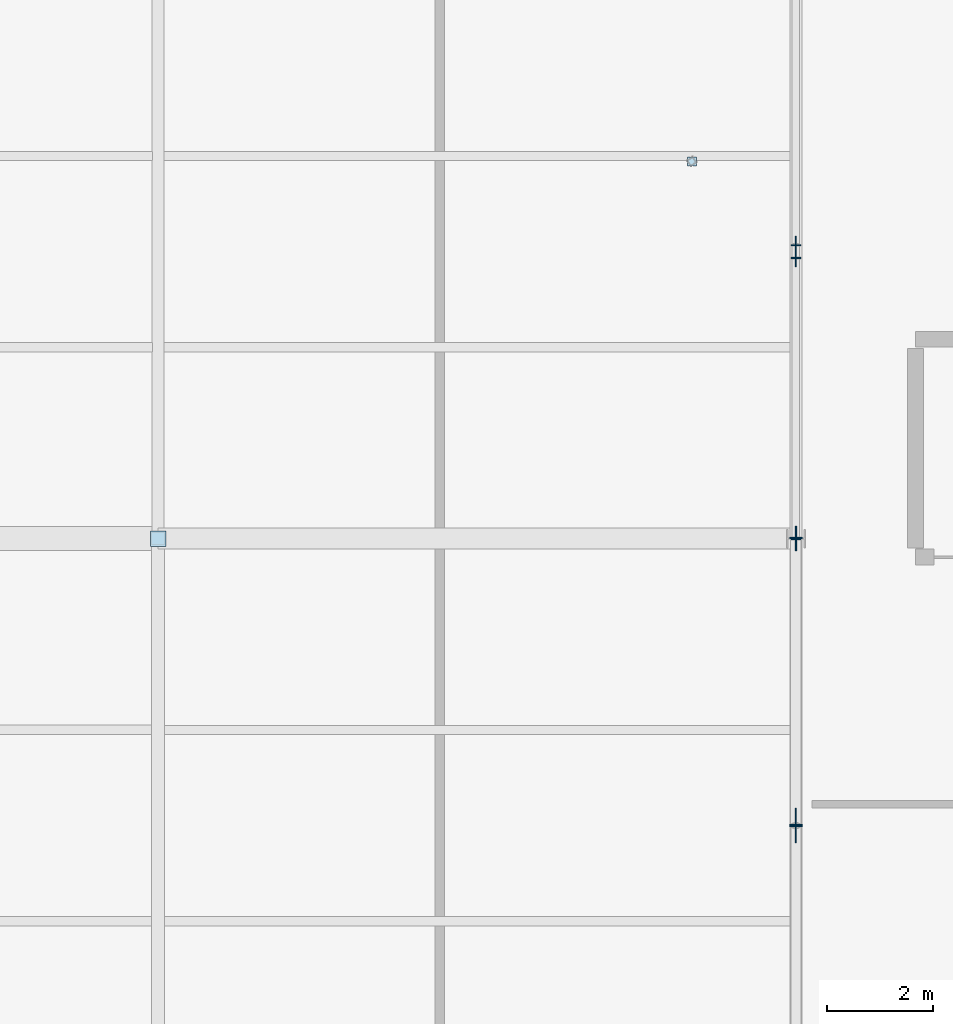
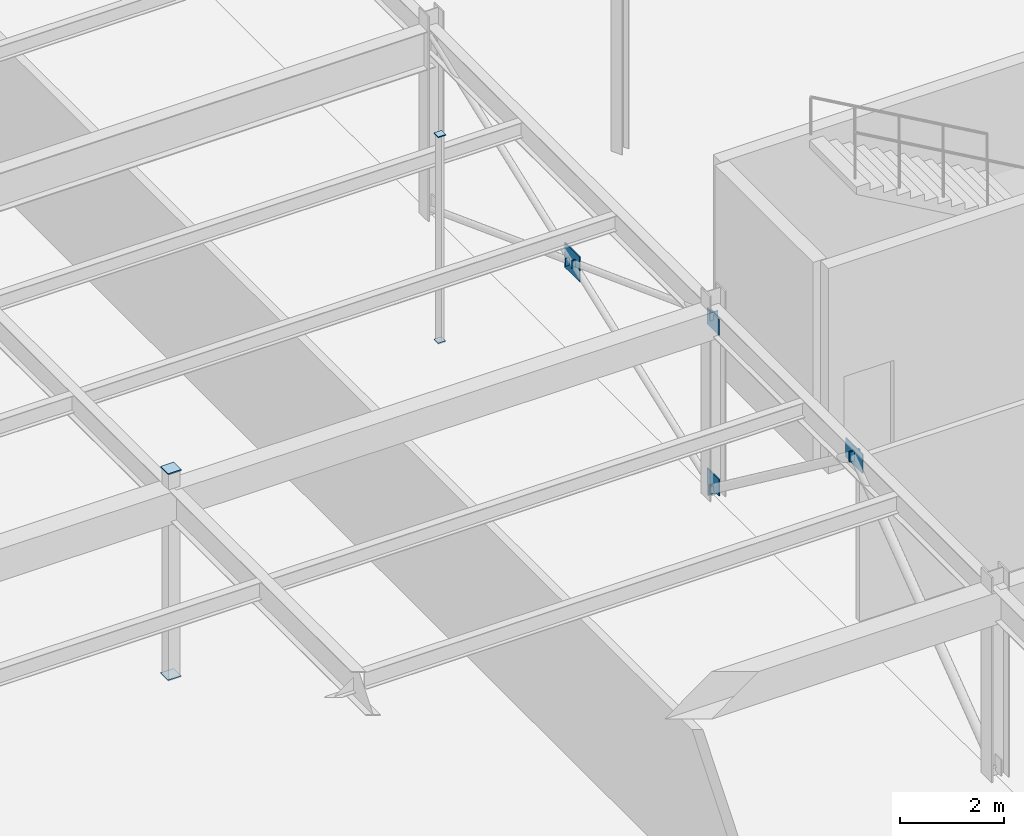
# One storey, part 171 of 226: 15 plates.
"""IFC4 building model written with IfcOpenShell, lengths in metres."""

from ifc_helpers import new_model, si_unit, direction, frame, origin, origin_2d, place, context, subcontext, project, spatial, rectangle, extrude, material, layer, layer_set, type_object, element, save


model = new_model("IFC4")

# Units and contexts
model_context = context("Model", 3, precision=1e-05, world=origin(), true_north=direction((0.0, 1.0)))
body_context = subcontext(model_context, "Body", "Model", "MODEL_VIEW")
ifc_project = project(units=[si_unit("LENGTHUNIT", "METRE"), si_unit("AREAUNIT", "SQUARE_METRE"), si_unit("VOLUMEUNIT", "CUBIC_METRE"), si_unit("PLANEANGLEUNIT", "RADIAN"), si_unit("MASSUNIT", "GRAM", prefix="KILO")], contexts=[model_context])

# Site, building, storey
site_placement = place(None, origin())
site = spatial("IfcSite", under=ifc_project, at=site_placement, CompositionType="ELEMENT")
building_placement = place(site_placement, origin())
building = spatial("IfcBuilding", under=site, at=building_placement, Name="Tarnwether General Hospital", CompositionType="ELEMENT")
storey_placement = place(building_placement, frame((0.0, 0.0, 4.800048828125)))
storey = spatial("IfcBuildingStorey", under=building, at=storey_placement, Name="L01", CompositionType="ELEMENT", Elevation=4.800048828125)

# Plates
ifc_material_1 = material(Name="Steel Grade 350 (350 MPa)", Category="steel")
ifc_layer_1 = layer(ifc_material_1, 0.02001953125)
ifc_layer_set_1 = layer_set([ifc_layer_1], Name="Steel Grade 350 (350 MPa)")
plate_type_1 = type_object("IfcPlateType", Name="PT-GUS1", PredefinedType="USERDEFINED", material=ifc_layer_set_1)
plate_1_placement = place(storey_placement, frame((60.0, 99.0, 3.96484375), z_axis=(0.0, 0.0, 1.0), x_axis=(0.0, 1.0, 0.0)))
element("IfcPlate", 1, at=plate_1_placement, inside=storey, type_object=plate_type_1, Name="Chevron Brace Apex Gusset Plate 025", ObjectType="GUSSET", PredefinedType="USERDEFINED", context=body_context, shape_type="SweptSolid", body=[
    extrude(rectangle(XDim=0.64990234375, YDim=0.02001953125, at=origin_2d()), origin(), (0.0, 0.0, 1.0), 0.449951171875),
])
plate_2_placement = place(storey_placement, frame((60.0, 109.800048828125, 1.875), z_axis=(0.0, 0.0, 1.0), x_axis=(0.0, 1.0, 0.0)))
element("IfcPlate", 2, at=plate_2_placement, inside=storey, type_object=plate_type_1, Name="X-Brace Central Crossing Gusset Plate 044", ObjectType="GUSSET", PredefinedType="USERDEFINED", context=body_context, shape_type="SweptSolid", body=[
    extrude(rectangle(XDim=0.580078125, YDim=0.02001953125, at=origin_2d()), origin(), (0.0, 0.0, 1.0), 0.580078125),
])
ifc_material_2 = material(Name="Steel Grade 350 (350 MPa)", Category="steel")
ifc_layer_2 = layer(ifc_material_2, 0.02490234375)
ifc_layer_set_2 = layer_set([ifc_layer_2], Name="Steel Grade 350 (350 MPa)")
plate_type_2 = type_object("IfcPlateType", Name="PT-GUS2", PredefinedType="USERDEFINED", material=ifc_layer_set_2)
for number, where, z_axis, x_axis, name in (
    (3, (60.0, 104.39990234375, 0.110107421875), (0.0, 0.0, 1.0), (0.0, 1.0, 0.0), "Brace Base Gusset Plate 024"),
    (4, (60.0, 104.39990234375, 3.860107421875), (0.0, 0.0, 1.0), (0.0, 1.0, 0.0), "X-Brace Corner Gusset Plate 046"),
):
    element("IfcPlate", number, at=place(storey_placement, frame(where, z_axis=z_axis, x_axis=x_axis)), inside=storey, type_object=plate_type_2, Name=name, ObjectType="GUSSET", PredefinedType="USERDEFINED", context=body_context, shape_type="SweptSolid", body=[
        extrude(rectangle(XDim=0.4599609375, YDim=0.02490234375, at=origin_2d()), origin(), (0.0, 0.0, 1.0), 0.3798828125),
    ])
for number, where, z_axis, x_axis, name in (
    (5, (48.0, 104.39990234375, -0.02490234375), (0.0, 0.0, 1.0), (1.0, 0.0, 0.0), "Hollow Section Welded End Cap Plate 0109"),
    (6, (48.0, 104.39990234375, 4.800048828125), (0.0, 0.0, 1.0), (1.0, 0.0, 0.0), "Hollow Section Welded End Cap Plate 0110"),
):
    element("IfcPlate", number, at=place(storey_placement, frame(where, z_axis=z_axis, x_axis=x_axis)), inside=storey, type_object=plate_type_2, Name=name, ObjectType="GUSSET", PredefinedType="USERDEFINED", context=body_context, shape_type="SweptSolid", body=[
        extrude(rectangle(XDim=0.2900390625, YDim=0.2900390625, at=origin_2d()), origin(), (0.0, 0.0, 1.0), 0.02490234375),
    ])
for number, where, z_axis, x_axis, name in (
    (7, (58.0439453125, 111.493896484375, -0.02490234375), (0.0, 0.0, 1.0), (1.0, 0.0, 0.0), "Hollow Section Welded End Cap Plate 0455"),
    (8, (58.0439453125, 111.493896484375, 4.800048828125), (0.0, 0.0, 1.0), (1.0, 0.0, 0.0), "Hollow Section Welded End Cap Plate 0456"),
):
    element("IfcPlate", number, at=place(storey_placement, frame(where, z_axis=z_axis, x_axis=x_axis)), inside=storey, type_object=plate_type_2, Name=name, ObjectType="GUSSET", PredefinedType="USERDEFINED", context=body_context, shape_type="SweptSolid", body=[
        extrude(rectangle(XDim=0.1650390625, YDim=0.1650390625, at=origin_2d()), origin(), (0.0, 0.0, 1.0), 0.02490234375),
    ])
for number, where, z_axis, x_axis, name in (
    (9, (60.0, 99.010009765625, 4.08056640625), (0.0, 0.0, 1.0), (0.0, 1.0, 0.0), "Hollow Section Welded End Cap Plate 1208"),
    (10, (60.0, 104.409912109375, 0.015625), (0.0, 0.0, 1.0), (0.0, -1.0, 0.0), "Hollow Section Welded End Cap Plate 1209"),
    (11, (60.0, 98.989990234375, 4.08056640625), (0.0, 0.0, 1.0), (0.0, -1.0, 0.0), "Hollow Section Welded End Cap Plate 1210"),
):
    element("IfcPlate", number, at=place(storey_placement, frame(where, z_axis=z_axis, x_axis=x_axis)), inside=storey, type_object=plate_type_2, Name=name, ObjectType="GUSSET", PredefinedType="USERDEFINED", context=body_context, shape_type="SweptSolid", body=[
        extrude(rectangle(XDim=0.02490234375, YDim=0.23388671875, at=origin_2d()), origin(), (0.0, 0.0, 1.0), 0.23388671875),
    ])
for number, where, z_axis, x_axis, name in (
    (12, (60.0, 104.38818359375, 0.04541015625), (0.0, 0.0, 1.0), (0.0, 1.0, 0.0), "Hollow Section Welded End Cap Plate 1237"),
    (13, (60.0, 109.91943359375, 2.0302734375), (0.0, 0.0, 1.0), (0.0, -1.0, 0.0), "Hollow Section Welded End Cap Plate 1240"),
    (14, (60.0, 109.6806640625, 2.11962890625), (0.0, 0.0, 1.0), (0.0, -1.0, 0.0), "Hollow Section Welded End Cap Plate 1241"),
    (15, (60.0, 104.38818359375, 4.1044921875), (0.0, 0.0, 1.0), (0.0, -1.0, 0.0), "Hollow Section Welded End Cap Plate 1242"),
):
    element("IfcPlate", number, at=place(storey_placement, frame(where, z_axis=z_axis, x_axis=x_axis)), inside=storey, type_object=plate_type_2, Name=name, ObjectType="GUSSET", PredefinedType="USERDEFINED", context=body_context, shape_type="SweptSolid", body=[
        extrude(rectangle(XDim=0.02490234375, YDim=0.179931640625, at=origin_2d()), origin(), (0.0, 0.0, 1.0), 0.179931640625),
    ])

save(model, "model.ifc")
